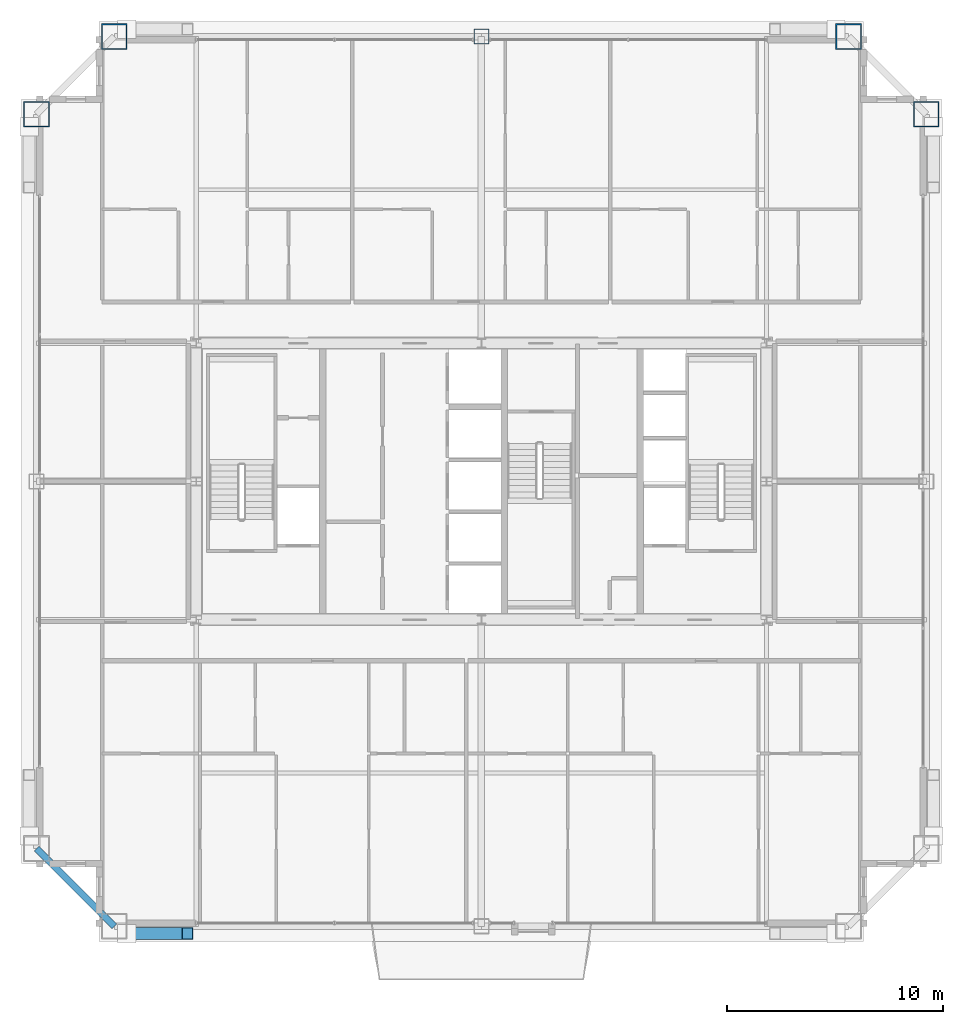
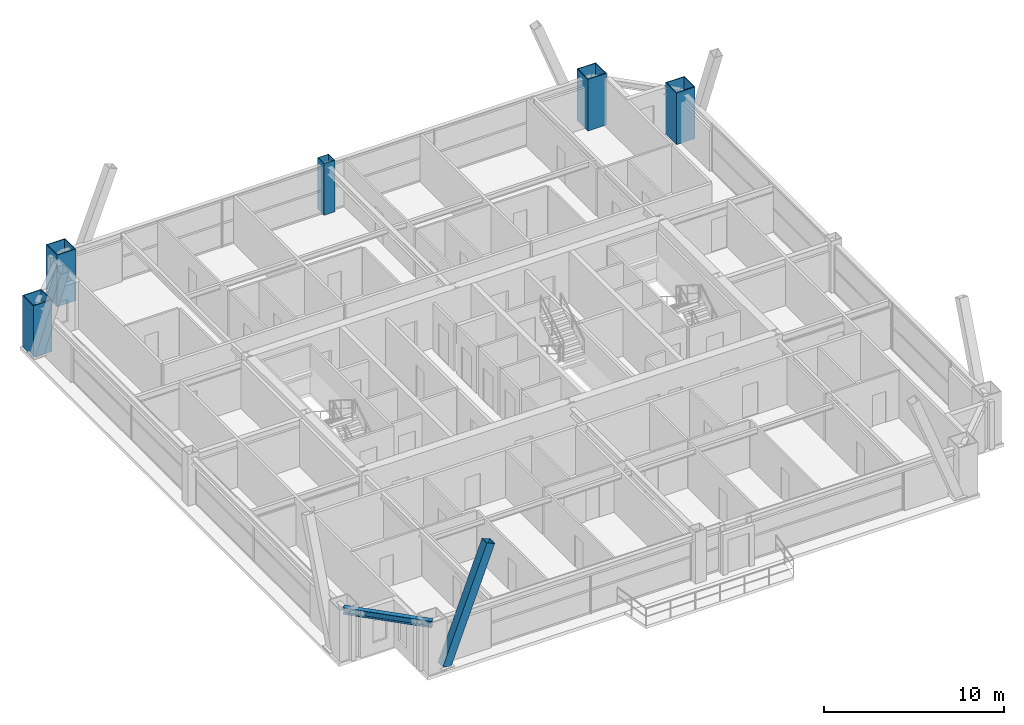
# One storey, part 2 of 36: 5 columns, 1 beam, 1 member.
"""IFC4 building model written with IfcOpenShell, lengths in metres."""

from ifc_helpers import new_model, si_unit, direction, frame, origin, origin_2d, place, context, subcontext, project, spatial, hollow_rectangle, i_section, extrude, source, transform, mapped, material, material_profile, profile_set, type_object, element, save


model = new_model("IFC4")

# Units and contexts
model_context = context("Model", 3, precision=1e-05, world=origin(), true_north=direction((0.0, 1.0)))
body_context = subcontext(model_context, "Body", "Model", "MODEL_VIEW")
ifc_project = project(units=[si_unit("LENGTHUNIT", "METRE"), si_unit("AREAUNIT", "SQUARE_METRE"), si_unit("VOLUMEUNIT", "CUBIC_METRE"), si_unit("PLANEANGLEUNIT", "RADIAN"), si_unit("MASSUNIT", "GRAM", prefix="KILO"), si_unit("THERMODYNAMICTEMPERATUREUNIT", "KELVIN"), si_unit("POWERUNIT", "WATT")], contexts=[model_context])

# Site, building, storey
site_placement = place(None, origin())
site = spatial("IfcSite", under=ifc_project, at=site_placement, CompositionType="ELEMENT")
building_placement = place(site_placement, origin())
building = spatial("IfcBuilding", under=site, at=building_placement, Name="Yuzanri Waterfront Tower", CompositionType="ELEMENT")
storey_placement = place(building_placement, frame((0.0, 0.0, 255.60009765625)))
storey = spatial("IfcBuildingStorey", under=building, at=storey_placement, Name="L68", CompositionType="ELEMENT", Elevation=255.60009765625)

# Columns
ifc_material_1 = material(Name="Steel Q390GJC", Category="steel")
ifc_material_profile_1 = material_profile(ifc_material_1, hollow_rectangle(XDim=1.199951171875, YDim=1.199951171875, WallThickness=0.054931640625, at=origin_2d()), Name="RHS 1200x1200x55")
ifc_profile_set_1 = profile_set([ifc_material_profile_1], Name="Steel Q390GJC")
column_type_1 = type_object("IfcColumnType", Name="Mega Column Q390GJC RHS 1200x1200x55", PredefinedType="COLUMN", material=ifc_profile_set_1)
shared_shape_1 = source(origin(), body_context, "Body", "SweptSolid", [
    extrude(hollow_rectangle(XDim=1.199951171875, YDim=1.199951171875, WallThickness=0.054931640625, at=origin_2d()), origin(), (0.0, 0.0, 1.0), 3.5),
])
for number, where, z_axis, x_axis, name in (
    (1, (20.0, 46.39990234375, 0.0), (0.0, 0.0, 1.0), (1.0, 0.0, 0.0), "L68 Perimeter Mega Column N1"),
    (2, (54.0, 46.39990234375, 0.0), (0.0, 0.0, 1.0), (1.0, 0.0, 0.0), "L68 Perimeter Mega Column N3"),
    (3, (16.39990234375, 42.800048828125, 0.0), (0.0, 0.0, 1.0), (1.0, 0.0, 0.0), "L68 Perimeter Mega Column W3"),
    (4, (57.60009765625, 42.800048828125, 0.0), (0.0, 0.0, 1.0), (1.0, 0.0, 0.0), "L68 Perimeter Mega Column E3"),
):
    element("IfcColumn", number, at=place(storey_placement, frame(where, z_axis=z_axis, x_axis=x_axis)), inside=storey, type_object=column_type_1, Name=name, PredefinedType="COLUMN", context=body_context, shape_type="MappedRepresentation", body=[
        mapped(shared_shape_1, transform((0.0, 0.0, 0.0), scale=1.0)),
    ])
ifc_material_2 = material(Name="Steel Q355B", Category="steel")
ifc_material_profile_2 = material_profile(ifc_material_2, hollow_rectangle(XDim=0.699951171875, YDim=0.699951171875, WallThickness=0.031982421875, at=origin_2d()), Name="RHS 700x700x32")
ifc_profile_set_2 = profile_set([ifc_material_profile_2], Name="Steel Q355B")
column_type_2 = type_object("IfcColumnType", Name="Frame Column Q355B RHS 700x700x32", PredefinedType="COLUMN", material=ifc_profile_set_2)
shared_shape_2 = source(origin(), body_context, "Body", "SweptSolid", [
    extrude(hollow_rectangle(XDim=0.699951171875, YDim=0.699951171875, WallThickness=0.031982421875, at=origin_2d()), origin(), (0.0, 0.0, 1.0), 3.5),
])
column_placement = place(storey_placement, frame((37.0, 46.39990234375, 0.0), z_axis=(0.0, 0.0, 1.0), x_axis=(1.0, 0.0, 0.0)))
element("IfcColumn", 5, at=column_placement, inside=storey, type_object=column_type_2, Name="L68 Perimeter Frame Column N2", PredefinedType="COLUMN", context=body_context, shape_type="MappedRepresentation", body=[
    mapped(shared_shape_2, transform((0.0, 0.0, 0.0), scale=1.0)),
])

# Beam
ifc_material_3 = material(Name="Steel Q355B", Category="steel")
ifc_material_profile_3 = material_profile(ifc_material_3, i_section(OverallWidth=0.300048828125, OverallDepth=0.43994140625, WebThickness=0.010986328125, FlangeThickness=0.01806640625, at=origin_2d()), Name="HM 440x300x11x18")
ifc_profile_set_3 = profile_set([ifc_material_profile_3], Name="Steel Q355B")
beam_type = type_object("IfcBeamType", Name="Perimeter Spandrel Q355B HM 440x300", PredefinedType="SPANDREL", material=ifc_profile_set_3)
shared_shape_3 = source(origin(), body_context, "Body", "SweptSolid", [
    extrude(i_section(OverallWidth=0.300048828125, OverallDepth=0.43994140625, WebThickness=0.010986328125, FlangeThickness=0.01806640625, at=origin_2d()), origin(), (0.0, 0.0, 1.0), 5.09130859375),
])
beam_placement = place(storey_placement, frame((16.39990234375, 8.800048828125, 2.97998046875), z_axis=(0.707106781187, -0.707106781187, 0.0), x_axis=(0.707106781187, 0.707106781187, 0.0)))
element("IfcBeam", 6, at=beam_placement, inside=storey, type_object=beam_type, Name="L68 Perimeter Spandrel W1-S1", PredefinedType="SPANDREL", context=body_context, shape_type="MappedRepresentation", body=[
    mapped(shared_shape_3, transform((0.0, 0.0, 0.0), scale=1.0)),
])

# Member
ifc_material_4 = material(Name="Steel Q390GJC", Category="steel")
ifc_material_profile_4 = material_profile(ifc_material_4, hollow_rectangle(XDim=0.550048828125, YDim=0.550048828125, WallThickness=0.02490234375, at=origin_2d()), Name="RHS 550x550x25")
ifc_profile_set_4 = profile_set([ifc_material_profile_4], Name="Steel Q390GJC")
member_type = type_object("IfcMemberType", Name="Mega Brace Mid Q390GJC RHS 550x550x25", PredefinedType="BRACE", material=ifc_profile_set_4)
shared_shape_4 = source(origin(), body_context, "Body", "SweptSolid", [
    extrude(hollow_rectangle(XDim=0.550048828125, YDim=0.550048828125, WallThickness=0.02490234375, at=origin_2d()), origin(), (0.0, 0.0, 1.0), 7.9189453125),
])
member_placement = place(storey_placement, frame((20.580078125, 4.860107421875, 0.179931640625), z_axis=(0.356085068362, 0.0, 0.934453543034), x_axis=(0.0, 1.0, 0.0)))
element("IfcMember", 7, at=member_placement, inside=storey, type_object=member_type, Name="L68-L69 Perimeter Mega-Brace S-L", PredefinedType="BRACE", context=body_context, shape_type="MappedRepresentation", body=[
    mapped(shared_shape_4, transform((0.0, 0.0, 0.0), scale=1.0)),
])

save(model, "model.ifc")
